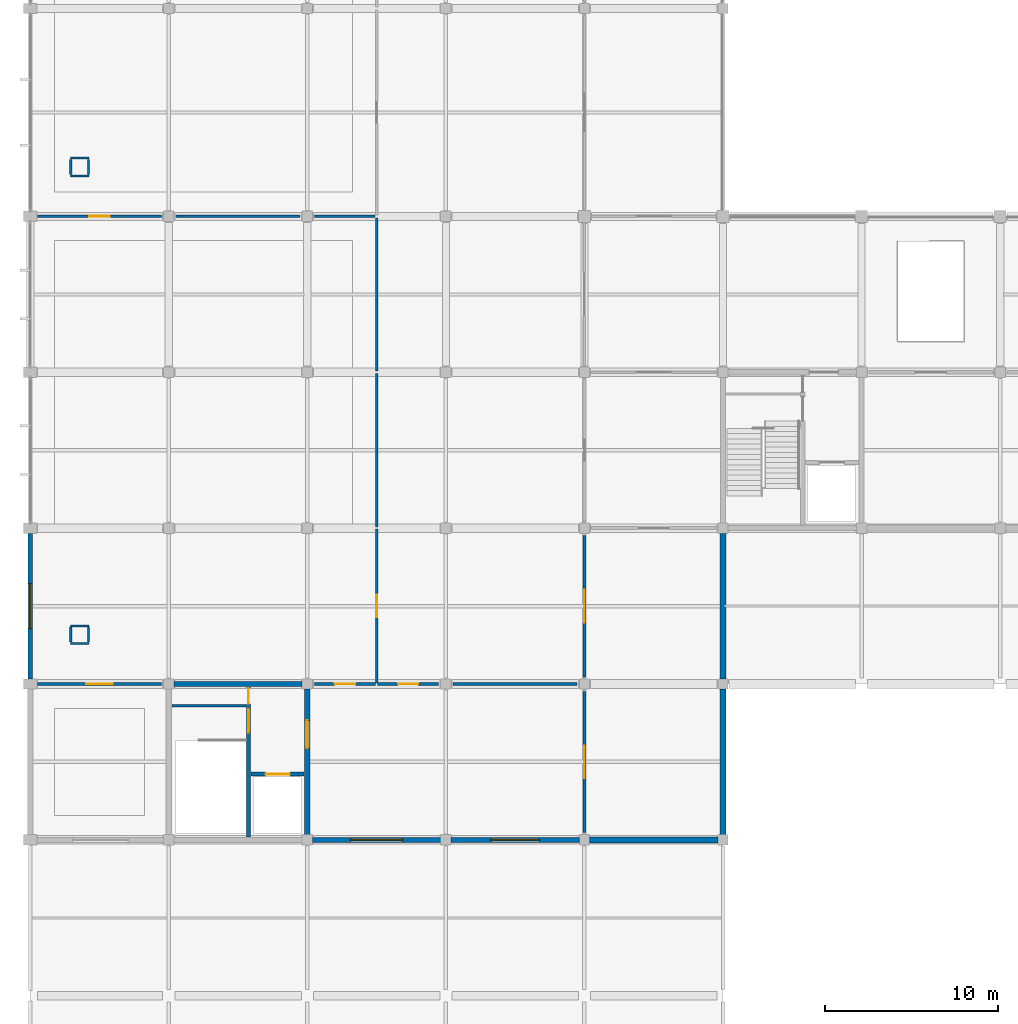
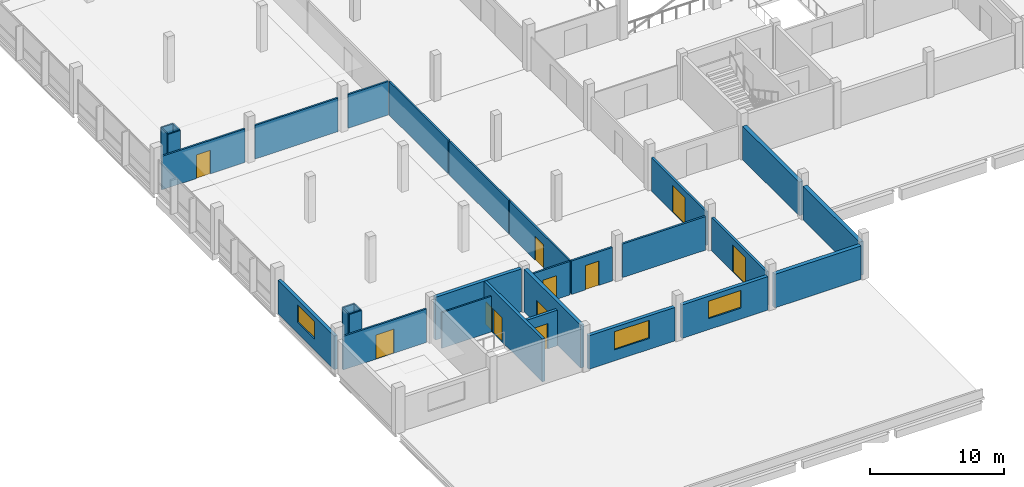
# One storey, part 40 of 57: 31 walls, 11 doors, 3 windows, 14 openings.
"""IFC4 building model written with IfcOpenShell, lengths in metres."""

from ifc_helpers import new_model, si_unit, direction, frame, frame_2d, origin, place, context, subcontext, project, spatial, rectangle, extrude, material, layer, layer_set, type_object, element, fill, save


model = new_model("IFC4")

# Units and contexts
model_context = context("Model", 3, precision=1e-05, world=origin(), true_north=direction((0.0, 1.0)))
body_context = subcontext(model_context, "Body", "Model", "MODEL_VIEW")
ifc_project = project(units=[si_unit("LENGTHUNIT", "METRE"), si_unit("AREAUNIT", "SQUARE_METRE"), si_unit("VOLUMEUNIT", "CUBIC_METRE"), si_unit("PLANEANGLEUNIT", "RADIAN"), si_unit("MASSUNIT", "GRAM", prefix="KILO"), si_unit("THERMODYNAMICTEMPERATUREUNIT", "KELVIN"), si_unit("POWERUNIT", "WATT")], contexts=[model_context])

# Site, building, storey
site_placement = place(None, origin())
site = spatial("IfcSite", under=ifc_project, at=site_placement, CompositionType="ELEMENT")
building_placement = place(site_placement, origin())
building = spatial("IfcBuilding", under=site, at=building_placement, Name="Kronsvod Quay Wholesale Market", CompositionType="ELEMENT")
storey_placement = place(building_placement, frame((0.0, 0.0, 4.800048828125)))
storey = spatial("IfcBuildingStorey", under=building, at=storey_placement, Name="L01", CompositionType="ELEMENT", Elevation=4.800048828125)

# Wall
ifc_material_1 = material(Name="Concrete C35/45", Category="concrete")
ifc_layer_1 = layer(ifc_material_1, 0.300048828125)
ifc_layer_set_1 = layer_set([ifc_layer_1], Name="Concrete C35/45")
wall_type_1 = type_object("IfcWallType", Name="Wall_CoreShear300", PredefinedType="SHEAR", material=ifc_layer_set_1)
wall_1_placement = place(storey_placement, frame((8.294921875, 27.0, 0.0), z_axis=(0.0, 0.0, 1.0), x_axis=(1.0, 0.0, 0.0)))
element("IfcWall", 1, at=wall_1_placement, inside=storey, type_object=wall_type_1, Name="CW-C01-L01-N", PredefinedType="SHEAR", context=body_context, shape_type="SweptSolid", body=[
    extrude(rectangle(XDim=7.41015625, YDim=0.300048828125, at=frame_2d((3.705078125, 0.0))), origin(), (0.0, 0.0, 1.0), 3.89501953125),
])

# Wall, opening, door
wall_2_placement = place(storey_placement, frame((16.0, 18.294921875, 0.0), z_axis=(0.0, 0.0, 1.0), x_axis=(0.0, 1.0, 0.0)))
wall_2 = element("IfcWall", 2, at=wall_2_placement, inside=storey, type_object=wall_type_1, Name="CW-C01-L01-E", PredefinedType="SHEAR", context=body_context, shape_type="SweptSolid", body=[
    extrude(rectangle(XDim=8.41015625, YDim=0.300048828125, at=frame_2d((4.205078125, 0.0))), origin(), (0.0, 0.0, 1.0), 3.89501953125),
])
opening_1_placement = place(wall_2_placement, frame((5.0, 0.0, 0.0)))
opening_1 = element("IfcOpeningElement", 3, at=opening_1_placement, cuts=wall_2, Name="Opening D-0007", PredefinedType="OPENING", context=body_context, shape_type="SweptSolid", body=[
    extrude(rectangle(XDim=1.60009765625, YDim=2.199951171875, at=frame_2d((0.800048828125, 1.10009765625))), frame((0.0, 0.16015625, 0.0), z_axis=(0.0, -1.0, 0.0), x_axis=(1.0, 0.0, 0.0)), (0.0, 0.0, 1.0), 0.320068359375),
])
ifc_material_2 = material(Name="Painted galvanized fire steel", Category="steel")
door_type_1 = type_object("IfcDoorType", Name="Door_FireLobby160x220", OperationType="DOUBLE_DOOR_SINGLE_SWING", PredefinedType="DOOR", material=ifc_material_2)
door_1_placement = place(opening_1_placement, origin())
door_1 = element("IfcDoor", 4, at=door_1_placement, inside=storey, type_object=door_type_1, Name="Core Lobby Door D-0007", OperationType="DOUBLE_DOOR_SINGLE_SWING", OverallHeight=2.199951171875, OverallWidth=1.60009765625, PredefinedType="DOOR", context=body_context, shape_type="SweptSolid", body=[
    extrude(rectangle(XDim=1.60009765625, YDim=2.199951171875, at=frame_2d((0.800048828125, 1.10009765625))), frame((0.0, 0.02490234375, 0.0), z_axis=(0.0, -1.0, 0.0), x_axis=(1.0, 0.0, 0.0)), (0.0, 0.0, 1.0), 0.050048828125),
])
fill(opening_1, door_1)

# Walls
ifc_material_3 = material(Name="Precast concrete C40/50", Category="concrete")
ifc_layer_2 = layer(ifc_material_3, 0.340087890625)
ifc_layer_set_2 = layer_set([ifc_layer_2], Name="Precast concrete C40/50")
wall_type_2 = type_object("IfcWallType", Name="Wall_ExtColdSandwich340", PredefinedType="SOLIDWALL", material=ifc_layer_set_2)
wall_3_placement = place(storey_placement, frame((32.294921875, 18.0, 0.0), z_axis=(0.0, 0.0, 1.0), x_axis=(1.0, 0.0, 0.0)))
element("IfcWall", 5, at=wall_3_placement, inside=storey, type_object=wall_type_2, Name="EW-X-L01-0102", PredefinedType="SOLIDWALL", context=body_context, shape_type="SweptSolid", body=[
    extrude(rectangle(XDim=7.41015625, YDim=0.340087890625, at=frame_2d((3.705078125, 0.0))), origin(), (0.0, 0.0, 1.0), 3.050048828125),
])
for number, where, z_axis, x_axis, name in (
    (6, (40.0, 18.294921875, 0.0), (0.0, 0.0, 1.0), (0.0, 1.0, 0.0), "EW-Y-L01-0108"),
    (7, (40.0, 27.294921875, 0.0), (0.0, 0.0, 1.0), (0.0, 1.0, 0.0), "EW-Y-L01-0109"),
):
    element("IfcWall", number, at=place(storey_placement, frame(where, z_axis=z_axis, x_axis=x_axis)), inside=storey, type_object=wall_type_2, Name=name, PredefinedType="SOLIDWALL", context=body_context, shape_type="SweptSolid", body=[
        extrude(rectangle(XDim=8.41015625, YDim=0.340087890625, at=frame_2d((4.205078125, 0.0))), origin(), (0.0, 0.0, 1.0), 3.050048828125),
    ])

# Wall, opening, window
ifc_material_4 = material(Name="Precast concrete C40/50", Category="concrete")
ifc_layer_3 = layer(ifc_material_4, 0.280029296875)
ifc_layer_set_3 = layer_set([ifc_layer_3], Name="Precast concrete C40/50")
wall_type_3 = type_object("IfcWallType", Name="Wall_ExtPrecast280", PredefinedType="SOLIDWALL", material=ifc_layer_set_3)
wall_4_placement = place(storey_placement, frame((0.0, 35.705078125, 0.0), z_axis=(0.0, 0.0, 1.0), x_axis=(0.0, -1.0, 0.0)))
wall_4 = element("IfcWall", 8, at=wall_4_placement, inside=storey, type_object=wall_type_3, Name="EW-Y-L01-0106", PredefinedType="SOLIDWALL", context=body_context, shape_type="SweptSolid", body=[
    extrude(rectangle(XDim=8.41015625, YDim=0.280029296875, at=frame_2d((4.205078125, 0.0))), origin(), (0.0, 0.0, 1.0), 3.050048828125),
])
opening_2_placement = place(wall_4_placement, frame((2.905029296875, 0.0, 1.0)))
opening_2 = element("IfcOpeningElement", 9, at=opening_2_placement, cuts=wall_4, Name="Opening WIN-06", PredefinedType="OPENING", context=body_context, shape_type="SweptSolid", body=[
    extrude(rectangle(XDim=2.60009765625, YDim=1.60009765625, at=frame_2d((1.300048828125, 0.800048828125))), frame((0.0, 0.14990234375, 0.0), z_axis=(0.0, -1.0, 0.0), x_axis=(1.0, 0.0, 0.0)), (0.0, 0.0, 1.0), 0.300048828125),
])
ifc_material_5 = material(Name="Thermally broken aluminium and triple low-E glazing", Category="aluminium")
window_type_1 = type_object("IfcWindowType", Name="Win_W06", PartitioningType="DOUBLE_PANEL_VERTICAL", PredefinedType="WINDOW", material=ifc_material_5)
window_1_placement = place(opening_2_placement, origin())
window_1 = element("IfcWindow", 10, at=window_1_placement, inside=storey, type_object=window_type_1, Name="WIN-Y-L01-0006", OverallHeight=1.60009765625, OverallWidth=2.60009765625, PartitioningType="SINGLE_PANEL", PredefinedType="WINDOW", context=body_context, shape_type="SweptSolid", body=[
    extrude(rectangle(XDim=2.60009765625, YDim=1.60009765625, at=frame_2d((1.300048828125, 0.800048828125))), frame((0.0, 0.030029296875, 0.0), z_axis=(0.0, -1.0, 0.0), x_axis=(1.0, 0.0, 0.0)), (0.0, 0.0, 1.0), 0.06005859375),
])
fill(opening_2, window_1)

ifc_material_6 = material(Name="Precast concrete C40/50", Category="concrete")
ifc_layer_4 = layer(ifc_material_6, 0.300048828125)
ifc_layer_set_4 = layer_set([ifc_layer_4], Name="Precast concrete C40/50")
wall_type_4 = type_object("IfcWallType", Name="Wall_ExtPrecast300", PredefinedType="SOLIDWALL", material=ifc_layer_set_4)
wall_5_placement = place(storey_placement, frame((16.294921875, 18.0, 0.0), z_axis=(0.0, 0.0, 1.0), x_axis=(1.0, 0.0, 0.0)))
wall_5 = element("IfcWall", 11, at=wall_5_placement, inside=storey, type_object=wall_type_4, Name="EW-X-L01-0100", PredefinedType="SOLIDWALL", context=body_context, shape_type="SweptSolid", body=[
    extrude(rectangle(XDim=7.41015625, YDim=0.300048828125, at=frame_2d((3.705078125, 0.0))), origin(), (0.0, 0.0, 1.0), 3.050048828125),
])
opening_3_placement = place(wall_5_placement, frame((2.205078125, 0.0, 1.0)))
opening_3 = element("IfcOpeningElement", 12, at=opening_3_placement, cuts=wall_5, Name="Opening WIN-04", PredefinedType="OPENING", context=body_context, shape_type="SweptSolid", body=[
    extrude(rectangle(XDim=3.0, YDim=1.64990234375, at=frame_2d((1.5, 0.824951171875))), frame((0.0, 0.16015625, 0.0), z_axis=(0.0, -1.0, 0.0), x_axis=(1.0, 0.0, 0.0)), (0.0, 0.0, 1.0), 0.320068359375),
])
ifc_material_7 = material(Name="Thermally broken aluminium and triple low-E glazing", Category="aluminium")
window_type_2 = type_object("IfcWindowType", Name="Win_W04", PartitioningType="TRIPLE_PANEL_HORIZONTAL", PredefinedType="WINDOW", material=ifc_material_7)
window_2_placement = place(opening_3_placement, origin())
window_2 = element("IfcWindow", 13, at=window_2_placement, inside=storey, type_object=window_type_2, Name="WIN-L01-0004", OverallHeight=1.64990234375, OverallWidth=3.0, PartitioningType="SINGLE_PANEL", PredefinedType="WINDOW", context=body_context, shape_type="SweptSolid", body=[
    extrude(rectangle(XDim=3.0, YDim=1.64990234375, at=frame_2d((1.5, 0.824951171875))), frame((0.0, 0.030029296875, 0.0), z_axis=(0.0, -1.0, 0.0), x_axis=(1.0, 0.0, 0.0)), (0.0, 0.0, 1.0), 0.06005859375),
])
fill(opening_3, window_2)

wall_6_placement = place(storey_placement, frame((24.294921875, 18.0, 0.0), z_axis=(0.0, 0.0, 1.0), x_axis=(1.0, 0.0, 0.0)))
wall_6 = element("IfcWall", 14, at=wall_6_placement, inside=storey, type_object=wall_type_4, Name="EW-X-L01-0101", PredefinedType="SOLIDWALL", context=body_context, shape_type="SweptSolid", body=[
    extrude(rectangle(XDim=7.41015625, YDim=0.300048828125, at=frame_2d((3.705078125, 0.0))), origin(), (0.0, 0.0, 1.0), 3.050048828125),
])
opening_4_placement = place(wall_6_placement, frame((2.304931640625, 0.0, 1.0)))
opening_4 = element("IfcOpeningElement", 15, at=opening_4_placement, cuts=wall_6, Name="Opening WIN-05", PredefinedType="OPENING", context=body_context, shape_type="SweptSolid", body=[
    extrude(rectangle(XDim=2.800048828125, YDim=1.60009765625, at=frame_2d((1.39990234375, 0.800048828125))), frame((0.0, 0.16015625, 0.0), z_axis=(0.0, -1.0, 0.0), x_axis=(1.0, 0.0, 0.0)), (0.0, 0.0, 1.0), 0.320068359375),
])
ifc_material_8 = material(Name="Thermally broken aluminium and triple low-E glazing", Category="aluminium")
window_type_3 = type_object("IfcWindowType", Name="Win_W05", PartitioningType="DOUBLE_PANEL_VERTICAL", PredefinedType="WINDOW", material=ifc_material_8)
window_3_placement = place(opening_4_placement, origin())
window_3 = element("IfcWindow", 16, at=window_3_placement, inside=storey, type_object=window_type_3, Name="WIN-L01-0005", OverallHeight=1.60009765625, OverallWidth=2.800048828125, PartitioningType="SINGLE_PANEL", PredefinedType="WINDOW", context=body_context, shape_type="SweptSolid", body=[
    extrude(rectangle(XDim=2.800048828125, YDim=1.60009765625, at=frame_2d((1.39990234375, 0.800048828125))), frame((0.0, 0.030029296875, 0.0), z_axis=(0.0, -1.0, 0.0), x_axis=(1.0, 0.0, 0.0)), (0.0, 0.0, 1.0), 0.06005859375),
])
fill(opening_4, window_3)

# Wall, opening, door
ifc_material_9 = material(Name="Double-layer fire gypsum partition", Category="gypsum")
ifc_layer_5 = layer(ifc_material_9, 0.16796875)
ifc_layer_set_5 = layer_set([ifc_layer_5], Name="Double-layer fire gypsum partition")
wall_type_5 = type_object("IfcWallType", Name="Wall_PartCorridor168", PredefinedType="PARTITIONING", material=ifc_layer_set_5)
wall_7_placement = place(storey_placement, frame((20.06005859375, 27.0, 0.0), z_axis=(0.0, 0.0, 1.0), x_axis=(1.0, 0.0, 0.0)))
wall_7 = element("IfcWall", 17, at=wall_7_placement, inside=storey, type_object=wall_type_5, Name="PW-L01-0003", PredefinedType="PARTITIONING", context=body_context, shape_type="SweptSolid", body=[
    extrude(rectangle(XDim=3.52001953125, YDim=0.16796875, at=frame_2d((1.760009765625, 0.0))), origin(), (0.0, 0.0, 1.0), 3.050048828125),
])
opening_5_placement = place(wall_7_placement, frame((1.179931640625, 0.0, 0.0)))
opening_5 = element("IfcOpeningElement", 18, at=opening_5_placement, cuts=wall_7, Name="Opening D-0213", PredefinedType="OPENING", context=body_context, shape_type="SweptSolid", body=[
    extrude(rectangle(XDim=1.159912109375, YDim=2.2099609375, at=frame_2d((0.580078125, 1.10498046875))), frame((0.0, 0.093994140625, 0.0), z_axis=(0.0, -1.0, 0.0), x_axis=(1.0, 0.0, 0.0)), (0.0, 0.0, 1.0), 0.18798828125),
])
ifc_material_10 = material(Name="Solid-core timber office door", Category="wood")
door_type_2 = type_object("IfcDoorType", Name="Door_Office116x221", OperationType="NOTDEFINED", PredefinedType="DOOR", material=ifc_material_10)
door_2_placement = place(opening_5_placement, origin())
door_2 = element("IfcDoor", 19, at=door_2_placement, inside=storey, type_object=door_type_2, Name="Interior Door D-0213", OperationType="SINGLE_SWING_RIGHT", OverallHeight=2.2099609375, OverallWidth=1.159912109375, PredefinedType="DOOR", context=body_context, shape_type="SweptSolid", body=[
    extrude(rectangle(XDim=1.159912109375, YDim=2.2099609375, at=frame_2d((0.580078125, 1.10498046875))), frame((0.0, 0.02490234375, 0.0), z_axis=(0.0, -1.0, 0.0), x_axis=(1.0, 0.0, 0.0)), (0.0, 0.0, 1.0), 0.050048828125),
])
fill(opening_5, door_2)

# Wall
wall_8_placement = place(storey_placement, frame((24.419921875, 27.0, 0.0), z_axis=(0.0, 0.0, 1.0), x_axis=(1.0, 0.0, 0.0)))
element("IfcWall", 20, at=wall_8_placement, inside=storey, type_object=wall_type_5, Name="PW-L01-0004", PredefinedType="PARTITIONING", context=body_context, shape_type="SweptSolid", body=[
    extrude(rectangle(XDim=7.16015625, YDim=0.16796875, at=frame_2d((3.580078125, 0.0))), origin(), (0.0, 0.0, 1.0), 3.050048828125),
])

# Wall, opening, door
ifc_material_11 = material(Name="Hygienic washable laboratory partition")
ifc_layer_6 = layer(ifc_material_11, 0.14990234375)
ifc_layer_set_6 = layer_set([ifc_layer_6], Name="Hygienic washable laboratory partition")
wall_type_6 = type_object("IfcWallType", Name="Wall_PartLab150", PredefinedType="PARTITIONING", material=ifc_layer_set_6)
wall_9_placement = place(storey_placement, frame((0.419921875, 27.0, 0.0), z_axis=(0.0, 0.0, 1.0), x_axis=(1.0, 0.0, 0.0)))
wall_9 = element("IfcWall", 21, at=wall_9_placement, inside=storey, type_object=wall_type_6, Name="PW-L01-0001", PredefinedType="PARTITIONING", context=body_context, shape_type="SweptSolid", body=[
    extrude(rectangle(XDim=7.16015625, YDim=0.14990234375, at=frame_2d((3.580078125, 0.0))), origin(), (0.0, 0.0, 1.0), 3.050048828125),
])
opening_6_placement = place(wall_9_placement, frame((2.804931640625, 0.0, 0.0)))
opening_6 = element("IfcOpeningElement", 22, at=opening_6_placement, cuts=wall_9, Name="Opening D-0211", PredefinedType="OPENING", context=body_context, shape_type="SweptSolid", body=[
    extrude(rectangle(XDim=1.550048828125, YDim=2.199951171875, at=frame_2d((0.77490234375, 1.10009765625))), frame((0.0, 0.0849609375, 0.0), z_axis=(0.0, -1.0, 0.0), x_axis=(1.0, 0.0, 0.0)), (0.0, 0.0, 1.0), 0.169921875),
])
ifc_material_12 = material(Name="Hygienic phenolic laboratory door", Category="aluminium")
door_type_3 = type_object("IfcDoorType", Name="Door_LabDouble155x220", OperationType="DOUBLE_DOOR_SINGLE_SWING", PredefinedType="DOOR", material=ifc_material_12)
door_3_placement = place(opening_6_placement, origin())
door_3 = element("IfcDoor", 23, at=door_3_placement, inside=storey, type_object=door_type_3, Name="Interior Door D-0211", OperationType="DOUBLE_DOOR_SINGLE_SWING", OverallHeight=2.199951171875, OverallWidth=1.550048828125, PredefinedType="DOOR", context=body_context, shape_type="SweptSolid", body=[
    extrude(rectangle(XDim=1.550048828125, YDim=2.199951171875, at=frame_2d((0.77490234375, 1.10009765625))), frame((0.0, 0.02490234375, 0.0), z_axis=(0.0, -1.0, 0.0), x_axis=(1.0, 0.0, 0.0)), (0.0, 0.0, 1.0), 0.050048828125),
])
fill(opening_6, door_3)

wall_10_placement = place(storey_placement, frame((16.419921875, 27.0, 0.0), z_axis=(0.0, 0.0, 1.0), x_axis=(1.0, 0.0, 0.0)))
wall_10 = element("IfcWall", 24, at=wall_10_placement, inside=storey, type_object=wall_type_6, Name="PW-L01-0002", PredefinedType="PARTITIONING", context=body_context, shape_type="SweptSolid", body=[
    extrude(rectangle(XDim=3.52001953125, YDim=0.14990234375, at=frame_2d((1.760009765625, 0.0))), origin(), (0.0, 0.0, 1.0), 3.050048828125),
])
opening_7_placement = place(wall_10_placement, frame((1.159912109375, 0.0, 0.0)))
opening_7 = element("IfcOpeningElement", 25, at=opening_7_placement, cuts=wall_10, Name="Opening D-0212", PredefinedType="OPENING", context=body_context, shape_type="SweptSolid", body=[
    extrude(rectangle(XDim=1.199951171875, YDim=2.14990234375, at=frame_2d((0.60009765625, 1.074951171875))), frame((0.0, 0.0849609375, 0.0), z_axis=(0.0, -1.0, 0.0), x_axis=(1.0, 0.0, 0.0)), (0.0, 0.0, 1.0), 0.169921875),
])
ifc_material_13 = material(Name="Hygienic phenolic laboratory door", Category="aluminium")
door_type_4 = type_object("IfcDoorType", Name="Door_Lab120x215", OperationType="NOTDEFINED", PredefinedType="DOOR", material=ifc_material_13)
door_4_placement = place(opening_7_placement, origin())
door_4 = element("IfcDoor", 26, at=door_4_placement, inside=storey, type_object=door_type_4, Name="Interior Door D-0212", OperationType="SINGLE_SWING_LEFT", OverallHeight=2.14990234375, OverallWidth=1.199951171875, PredefinedType="DOOR", context=body_context, shape_type="SweptSolid", body=[
    extrude(rectangle(XDim=1.199951171875, YDim=2.14990234375, at=frame_2d((0.60009765625, 1.074951171875))), frame((0.0, 0.02490234375, 0.0), z_axis=(0.0, -1.0, 0.0), x_axis=(1.0, 0.0, 0.0)), (0.0, 0.0, 1.0), 0.050048828125),
])
fill(opening_7, door_4)

wall_11_placement = place(storey_placement, frame((0.419921875, 54.0, 0.0), z_axis=(0.0, 0.0, 1.0), x_axis=(1.0, 0.0, 0.0)))
wall_11 = element("IfcWall", 27, at=wall_11_placement, inside=storey, type_object=wall_type_6, Name="PW-L01-0006", PredefinedType="PARTITIONING", context=body_context, shape_type="SweptSolid", body=[
    extrude(rectangle(XDim=7.16015625, YDim=0.14990234375, at=frame_2d((3.580078125, 0.0))), origin(), (0.0, 0.0, 1.0), 3.050048828125),
])
opening_8_placement = place(wall_11_placement, frame((2.97998046875, 0.0, 0.0)))
opening_8 = element("IfcOpeningElement", 28, at=opening_8_placement, cuts=wall_11, Name="Opening D-0215", PredefinedType="OPENING", context=body_context, shape_type="SweptSolid", body=[
    extrude(rectangle(XDim=1.199951171875, YDim=2.14990234375, at=frame_2d((0.60009765625, 1.074951171875))), frame((0.0, 0.0849609375, 0.0), z_axis=(0.0, -1.0, 0.0), x_axis=(1.0, 0.0, 0.0)), (0.0, 0.0, 1.0), 0.169921875),
])
door_5_placement = place(opening_8_placement, origin())
door_5 = element("IfcDoor", 29, at=door_5_placement, inside=storey, type_object=door_type_4, Name="Interior Door D-0215", OperationType="SINGLE_SWING_LEFT", OverallHeight=2.14990234375, OverallWidth=1.199951171875, PredefinedType="DOOR", context=body_context, shape_type="SweptSolid", body=[
    extrude(rectangle(XDim=1.199951171875, YDim=2.14990234375, at=frame_2d((0.60009765625, 1.074951171875))), frame((0.0, 0.02490234375, 0.0), z_axis=(0.0, -1.0, 0.0), x_axis=(1.0, 0.0, 0.0)), (0.0, 0.0, 1.0), 0.050048828125),
])
fill(opening_8, door_5)

# Walls
wall_12_placement = place(storey_placement, frame((8.419921875, 54.0, 0.0), z_axis=(0.0, 0.0, 1.0), x_axis=(1.0, 0.0, 0.0)))
element("IfcWall", 30, at=wall_12_placement, inside=storey, type_object=wall_type_6, Name="PW-L01-0007", PredefinedType="PARTITIONING", context=body_context, shape_type="SweptSolid", body=[
    extrude(rectangle(XDim=7.16015625, YDim=0.14990234375, at=frame_2d((3.580078125, 0.0))), origin(), (0.0, 0.0, 1.0), 3.050048828125),
])
wall_13_placement = place(storey_placement, frame((16.419921875, 54.0, 0.0), z_axis=(0.0, 0.0, 1.0), x_axis=(1.0, 0.0, 0.0)))
element("IfcWall", 31, at=wall_13_placement, inside=storey, type_object=wall_type_6, Name="PW-L01-0008", PredefinedType="PARTITIONING", context=body_context, shape_type="SweptSolid", body=[
    extrude(rectangle(XDim=3.5, YDim=0.14990234375, at=frame_2d((1.75, 0.0))), origin(), (0.0, 0.0, 1.0), 3.050048828125),
])

# Wall, opening, door
wall_14_placement = place(storey_placement, frame((20.0, 27.06005859375, 0.0), z_axis=(0.0, 0.0, 1.0), x_axis=(0.0, 1.0, 0.0)))
wall_14 = element("IfcWall", 32, at=wall_14_placement, inside=storey, type_object=wall_type_6, Name="PW-L01-0009", PredefinedType="PARTITIONING", context=body_context, shape_type="SweptSolid", body=[
    extrude(rectangle(XDim=8.8798828125, YDim=0.14990234375, at=frame_2d((4.43994140625, 0.0))), origin(), (0.0, 0.0, 1.0), 3.050048828125),
])
opening_9_placement = place(wall_14_placement, frame((3.7900390625, 0.0, 0.0)))
opening_9 = element("IfcOpeningElement", 33, at=opening_9_placement, cuts=wall_14, Name="Opening D-0216", PredefinedType="OPENING", context=body_context, shape_type="SweptSolid", body=[
    extrude(rectangle(XDim=1.300048828125, YDim=2.14990234375, at=frame_2d((0.64990234375, 1.074951171875))), frame((0.0, 0.0849609375, 0.0), z_axis=(0.0, -1.0, 0.0), x_axis=(1.0, 0.0, 0.0)), (0.0, 0.0, 1.0), 0.169921875),
])
ifc_material_14 = material(Name="Hygienic phenolic laboratory door", Category="aluminium")
door_type_5 = type_object("IfcDoorType", Name="Door_Lab130x215", OperationType="NOTDEFINED", PredefinedType="DOOR", material=ifc_material_14)
door_6_placement = place(opening_9_placement, origin())
door_6 = element("IfcDoor", 34, at=door_6_placement, inside=storey, type_object=door_type_5, Name="Interior Door D-0216", OperationType="SINGLE_SWING_RIGHT", OverallHeight=2.14990234375, OverallWidth=1.300048828125, PredefinedType="DOOR", context=body_context, shape_type="SweptSolid", body=[
    extrude(rectangle(XDim=1.300048828125, YDim=2.14990234375, at=frame_2d((0.64990234375, 1.074951171875))), frame((0.0, 0.02490234375, 0.0), z_axis=(0.0, -1.0, 0.0), x_axis=(1.0, 0.0, 0.0)), (0.0, 0.0, 1.0), 0.050048828125),
])
fill(opening_9, door_6)

# Walls
wall_15_placement = place(storey_placement, frame((20.0, 36.06005859375, 0.0), z_axis=(0.0, 0.0, 1.0), x_axis=(0.0, 1.0, 0.0)))
element("IfcWall", 35, at=wall_15_placement, inside=storey, type_object=wall_type_6, Name="PW-L01-0010", PredefinedType="PARTITIONING", context=body_context, shape_type="SweptSolid", body=[
    extrude(rectangle(XDim=8.85986328125, YDim=0.14990234375, at=frame_2d((4.429931640625, 0.0))), origin(), (0.0, 0.0, 1.0), 3.050048828125),
])
wall_16_placement = place(storey_placement, frame((20.0, 45.080078125, 0.0), z_axis=(0.0, 0.0, 1.0), x_axis=(0.0, 1.0, 0.0)))
element("IfcWall", 36, at=wall_16_placement, inside=storey, type_object=wall_type_6, Name="PW-L01-0011", PredefinedType="PARTITIONING", context=body_context, shape_type="SweptSolid", body=[
    extrude(rectangle(XDim=8.83984375, YDim=0.14990234375, at=frame_2d((4.419921875, 0.0))), origin(), (0.0, 0.0, 1.0), 3.050048828125),
])
ifc_material_15 = material(Name="Fire-rated shaft riser block wall", Category="masonry")
ifc_layer_7 = layer(ifc_material_15, 0.1201171875)
ifc_layer_set_7 = layer_set([ifc_layer_7], Name="Fire-rated shaft riser block wall")
wall_type_7 = type_object("IfcWallType", Name="Wall_PartRiser120", PredefinedType="PARTITIONING", material=ifc_layer_set_7)
for number, where, z_axis, x_axis, name in (
    (37, (2.320068359375, 29.340087890625, 0.0), (0.0, 0.0, 1.0), (1.0, 0.0, 0.0), "RSRW-SLB-L01-056-S"),
    (38, (2.320068359375, 30.360107421875, 0.0), (0.0, 0.0, 1.0), (1.0, 0.0, 0.0), "RSRW-SLB-L01-056-N"),
):
    element("IfcWall", number, at=place(storey_placement, frame(where, z_axis=z_axis, x_axis=x_axis)), inside=storey, type_object=wall_type_7, Name=name, PredefinedType="PARTITIONING", context=body_context, shape_type="SweptSolid", body=[
        extrude(rectangle(XDim=1.059814453125, YDim=0.1201171875, at=frame_2d((0.52978515625, 0.0))), origin(), (0.0, 0.0, 1.0), 2.949951171875),
    ])
for number, where, z_axis, x_axis, name in (
    (39, (2.340087890625, 29.419921875, 0.0), (0.0, 0.0, 1.0), (0.0, 1.0, 0.0), "RSRW-SLB-L01-056-W"),
    (40, (3.360107421875, 29.419921875, 0.0), (0.0, 0.0, 1.0), (0.0, 1.0, 0.0), "RSRW-SLB-L01-056-E"),
):
    element("IfcWall", number, at=place(storey_placement, frame(where, z_axis=z_axis, x_axis=x_axis)), inside=storey, type_object=wall_type_7, Name=name, PredefinedType="PARTITIONING", context=body_context, shape_type="SweptSolid", body=[
        extrude(rectangle(XDim=0.860107421875, YDim=0.1201171875, at=frame_2d((0.43017578125, 0.0))), origin(), (0.0, 0.0, 1.0), 2.949951171875),
    ])
for number, where, z_axis, x_axis, name in (
    (41, (2.320068359375, 56.340087890625, 0.0), (0.0, 0.0, 1.0), (1.0, 0.0, 0.0), "RSRW-SLB-L01-060-S"),
    (42, (2.320068359375, 57.360107421875, 0.0), (0.0, 0.0, 1.0), (1.0, 0.0, 0.0), "RSRW-SLB-L01-060-N"),
):
    element("IfcWall", number, at=place(storey_placement, frame(where, z_axis=z_axis, x_axis=x_axis)), inside=storey, type_object=wall_type_7, Name=name, PredefinedType="PARTITIONING", context=body_context, shape_type="SweptSolid", body=[
        extrude(rectangle(XDim=1.059814453125, YDim=0.1201171875, at=frame_2d((0.52978515625, 0.0))), origin(), (0.0, 0.0, 1.0), 2.949951171875),
    ])
for number, where, z_axis, x_axis, name in (
    (43, (2.340087890625, 56.419921875, 0.0), (0.0, 0.0, 1.0), (0.0, 1.0, 0.0), "RSRW-SLB-L01-060-W"),
    (44, (3.360107421875, 56.419921875, 0.0), (0.0, 0.0, 1.0), (0.0, 1.0, 0.0), "RSRW-SLB-L01-060-E"),
):
    element("IfcWall", number, at=place(storey_placement, frame(where, z_axis=z_axis, x_axis=x_axis)), inside=storey, type_object=wall_type_7, Name=name, PredefinedType="PARTITIONING", context=body_context, shape_type="SweptSolid", body=[
        extrude(rectangle(XDim=0.860107421875, YDim=0.1201171875, at=frame_2d((0.43017578125, 0.0))), origin(), (0.0, 0.0, 1.0), 2.949951171875),
    ])
ifc_material_16 = material(Name="Fire-rated shaft riser block wall", Category="masonry")
ifc_layer_8 = layer(ifc_material_16, 0.1298828125)
ifc_layer_set_8 = layer_set([ifc_layer_8], Name="Fire-rated shaft riser block wall")
wall_type_8 = type_object("IfcWallType", Name="Wall_PartRiser130", PredefinedType="PARTITIONING", material=ifc_layer_set_8)
wall_17_placement = place(storey_placement, frame((8.179931640625, 25.75, 0.0), z_axis=(0.0, 0.0, 1.0), x_axis=(1.0, 0.0, 0.0)))
element("IfcWall", 45, at=wall_17_placement, inside=storey, type_object=wall_type_8, Name="CW-C01-L01-RSR", PredefinedType="PARTITIONING", context=body_context, shape_type="SweptSolid", body=[
    extrude(rectangle(XDim=4.280029296875, YDim=0.1298828125, at=frame_2d((2.14013671875, 0.0))), origin(), (0.0, 0.0, 1.0), 3.244873046875),
])

# Wall, opening, door
ifc_material_17 = material(Name="Gas-tight ethylene ripening panel")
ifc_layer_9 = layer(ifc_material_17, 0.18505859375)
ifc_layer_set_9 = layer_set([ifc_layer_9], Name="Gas-tight ethylene ripening panel")
wall_type_9 = type_object("IfcWallType", Name="Wall_RipeningGas185", PredefinedType="PARTITIONING", material=ifc_layer_set_9)
wall_18_placement = place(storey_placement, frame((32.0, 18.419921875, 0.0), z_axis=(0.0, 0.0, 1.0), x_axis=(0.0, 1.0, 0.0)))
wall_18 = element("IfcWall", 46, at=wall_18_placement, inside=storey, type_object=wall_type_9, Name="PW-L01-0005", PredefinedType="PARTITIONING", context=body_context, shape_type="SweptSolid", body=[
    extrude(rectangle(XDim=8.16015625, YDim=0.18505859375, at=frame_2d((4.080078125, 0.0))), origin(), (0.0, 0.0, 1.0), 3.050048828125),
])
opening_10_placement = place(wall_18_placement, frame((3.1298828125, 0.0, 0.0)))
opening_10 = element("IfcOpeningElement", 47, at=opening_10_placement, cuts=wall_18, Name="Opening D-0214", PredefinedType="OPENING", context=body_context, shape_type="SweptSolid", body=[
    extrude(rectangle(XDim=1.89990234375, YDim=2.449951171875, at=frame_2d((0.949951171875, 1.22509765625))), frame((0.0, 0.1025390625, 0.0), z_axis=(0.0, -1.0, 0.0), x_axis=(1.0, 0.0, 0.0)), (0.0, 0.0, 1.0), 0.205078125),
])
ifc_material_18 = material(Name="Gas-tight aluminium ripening door", Category="aluminium")
door_type_6 = type_object("IfcDoorType", Name="Door_Ripening190x245", OperationType="DOUBLE_DOOR_SINGLE_SWING", PredefinedType="DOOR", material=ifc_material_18)
door_7_placement = place(opening_10_placement, origin())
door_7 = element("IfcDoor", 48, at=door_7_placement, inside=storey, type_object=door_type_6, Name="Interior Door D-0214", OperationType="DOUBLE_DOOR_SINGLE_SWING", OverallHeight=2.449951171875, OverallWidth=1.89990234375, PredefinedType="DOOR", context=body_context, shape_type="SweptSolid", body=[
    extrude(rectangle(XDim=1.89990234375, YDim=2.449951171875, at=frame_2d((0.949951171875, 1.22509765625))), frame((0.0, 0.02490234375, 0.0), z_axis=(0.0, -1.0, 0.0), x_axis=(1.0, 0.0, 0.0)), (0.0, 0.0, 1.0), 0.050048828125),
])
fill(opening_10, door_7)

wall_19_placement = place(storey_placement, frame((32.0, 27.419921875, 0.0), z_axis=(0.0, 0.0, 1.0), x_axis=(0.0, 1.0, 0.0)))
wall_19 = element("IfcWall", 49, at=wall_19_placement, inside=storey, type_object=wall_type_9, Name="PW-L01-0024", PredefinedType="PARTITIONING", context=body_context, shape_type="SweptSolid", body=[
    extrude(rectangle(XDim=8.16015625, YDim=0.18505859375, at=frame_2d((4.080078125, 0.0))), origin(), (0.0, 0.0, 1.0), 3.050048828125),
])
opening_11_placement = place(wall_19_placement, frame((3.1298828125, 0.0, 0.0)))
opening_11 = element("IfcOpeningElement", 50, at=opening_11_placement, cuts=wall_19, Name="Opening D-0224", PredefinedType="OPENING", context=body_context, shape_type="SweptSolid", body=[
    extrude(rectangle(XDim=1.89990234375, YDim=2.449951171875, at=frame_2d((0.949951171875, 1.22509765625))), frame((0.0, 0.1025390625, 0.0), z_axis=(0.0, -1.0, 0.0), x_axis=(1.0, 0.0, 0.0)), (0.0, 0.0, 1.0), 0.205078125),
])
door_8_placement = place(opening_11_placement, origin())
door_8 = element("IfcDoor", 51, at=door_8_placement, inside=storey, type_object=door_type_6, Name="Interior Door D-0224", OperationType="DOUBLE_DOOR_SINGLE_SWING", OverallHeight=2.449951171875, OverallWidth=1.89990234375, PredefinedType="DOOR", context=body_context, shape_type="SweptSolid", body=[
    extrude(rectangle(XDim=1.89990234375, YDim=2.449951171875, at=frame_2d((0.949951171875, 1.22509765625))), frame((0.0, 0.02490234375, 0.0), z_axis=(0.0, -1.0, 0.0), x_axis=(1.0, 0.0, 0.0)), (0.0, 0.0, 1.0), 0.050048828125),
])
fill(opening_11, door_8)

# Wall, openings, doors
ifc_material_19 = material(Name="Concrete C35/45", Category="concrete")
ifc_layer_10 = layer(ifc_material_19, 0.239990234375)
ifc_layer_set_10 = layer_set([ifc_layer_10], Name="Concrete C35/45")
wall_type_10 = type_object("IfcWallType", Name="Wall_ShaftWall240", PredefinedType="SHEAR", material=ifc_layer_set_10)
wall_20_placement = place(storey_placement, frame((12.60009765625, 18.179931640625, 0.0), z_axis=(0.0, 0.0, 1.0), x_axis=(0.0, 1.0, 0.0)))
wall_20 = element("IfcWall", 52, at=wall_20_placement, inside=storey, type_object=wall_type_10, Name="CW-C01-L01-DIV", PredefinedType="SHEAR", context=body_context, shape_type="SweptSolid", body=[
    extrude(rectangle(XDim=8.64013671875, YDim=0.239990234375, at=frame_2d((4.320068359375, 0.0))), origin(), (0.0, 0.0, 1.0), 3.89501953125),
])
opening_12_placement = place(wall_20_placement, frame((6.02001953125, 0.0, 0.0)))
opening_12 = element("IfcOpeningElement", 53, at=opening_12_placement, cuts=wall_20, Name="Opening D-0005", PredefinedType="OPENING", context=body_context, shape_type="SweptSolid", body=[
    extrude(rectangle(XDim=1.35009765625, YDim=2.199951171875, at=frame_2d((0.675048828125, 1.10009765625))), frame((0.0, 0.1298828125, 0.0), z_axis=(0.0, -1.0, 0.0), x_axis=(1.0, 0.0, 0.0)), (0.0, 0.0, 1.0), 0.260009765625),
])
opening_13_placement = place(wall_20_placement, frame((7.679931640625, 0.0, 0.0)))
opening_13 = element("IfcOpeningElement", 54, at=opening_13_placement, cuts=wall_20, Name="Opening D-0006", PredefinedType="OPENING", context=body_context, shape_type="SweptSolid", body=[
    extrude(rectangle(XDim=0.89990234375, YDim=2.050048828125, at=frame_2d((0.449951171875, 1.02490234375))), frame((0.0, 0.1298828125, 0.0), z_axis=(0.0, -1.0, 0.0), x_axis=(1.0, 0.0, 0.0)), (0.0, 0.0, 1.0), 0.260009765625),
])
ifc_material_20 = material(Name="Painted galvanized fire steel", Category="steel")
door_type_7 = type_object("IfcDoorType", Name="Door_FireStair135x220", OperationType="NOTDEFINED", PredefinedType="DOOR", material=ifc_material_20)
door_9_placement = place(opening_12_placement, origin())
door_9 = element("IfcDoor", 55, at=door_9_placement, inside=storey, type_object=door_type_7, Name="Stair Fire Door D-0005", OperationType="SINGLE_SWING_LEFT", OverallHeight=2.199951171875, OverallWidth=1.35009765625, PredefinedType="DOOR", context=body_context, shape_type="SweptSolid", body=[
    extrude(rectangle(XDim=1.35009765625, YDim=2.199951171875, at=frame_2d((0.675048828125, 1.10009765625))), frame((0.0, 0.02490234375, 0.0), z_axis=(0.0, -1.0, 0.0), x_axis=(1.0, 0.0, 0.0)), (0.0, 0.0, 1.0), 0.050048828125),
])
fill(opening_12, door_9)
ifc_material_21 = material(Name="Fire-rated steel riser access door", Category="steel")
door_type_8 = type_object("IfcDoorType", Name="Door_Riser90x205", OperationType="NOTDEFINED", PredefinedType="DOOR", material=ifc_material_21)
door_10_placement = place(opening_13_placement, origin())
door_10 = element("IfcDoor", 56, at=door_10_placement, inside=storey, type_object=door_type_8, Name="Service Riser Door D-0006", OperationType="SINGLE_SWING_RIGHT", OverallHeight=2.050048828125, OverallWidth=0.89990234375, PredefinedType="DOOR", context=body_context, shape_type="SweptSolid", body=[
    extrude(rectangle(XDim=0.89990234375, YDim=2.050048828125, at=frame_2d((0.449951171875, 1.02490234375))), frame((0.0, 0.02490234375, 0.0), z_axis=(0.0, -1.0, 0.0), x_axis=(1.0, 0.0, 0.0)), (0.0, 0.0, 1.0), 0.050048828125),
])
fill(opening_13, door_10)

# Wall, opening, door
wall_21_placement = place(storey_placement, frame((12.75, 21.800048828125, 0.0), z_axis=(0.0, 0.0, 1.0), x_axis=(1.0, 0.0, 0.0)))
wall_21 = element("IfcWall", 57, at=wall_21_placement, inside=storey, type_object=wall_type_10, Name="CW-C01-L01-LSH", PredefinedType="SHEAR", context=body_context, shape_type="SweptSolid", body=[
    extrude(rectangle(XDim=3.070068359375, YDim=0.239990234375, at=frame_2d((1.53515625, 0.0))), origin(), (0.0, 0.0, 1.0), 3.244873046875),
])
opening_14_placement = place(wall_21_placement, frame((0.8349609375, 0.0, 0.0)))
opening_14 = element("IfcOpeningElement", 58, at=opening_14_placement, cuts=wall_21, Name="Opening D-0008", PredefinedType="OPENING", context=body_context, shape_type="SweptSolid", body=[
    extrude(rectangle(XDim=1.39990234375, YDim=2.300048828125, at=frame_2d((0.699951171875, 1.14990234375))), frame((0.0, 0.1298828125, 0.0), z_axis=(0.0, -1.0, 0.0), x_axis=(1.0, 0.0, 0.0)), (0.0, 0.0, 1.0), 0.260009765625),
])
ifc_material_22 = material(Name="Brushed stainless steel", Category="steel")
door_type_9 = type_object("IfcDoorType", Name="Door_LiftLandingGoods", OperationType="SLIDING_TO_LEFT", PredefinedType="DOOR", material=ifc_material_22)
door_11_placement = place(opening_14_placement, origin())
door_11 = element("IfcDoor", 59, at=door_11_placement, inside=storey, type_object=door_type_9, Name="Lift Landing Door LFT-G01 L01", OperationType="SLIDING_TO_LEFT", OverallHeight=2.300048828125, OverallWidth=1.39990234375, PredefinedType="DOOR", context=body_context, shape_type="SweptSolid", body=[
    extrude(rectangle(XDim=1.39990234375, YDim=2.300048828125, at=frame_2d((0.699951171875, 1.14990234375))), frame((0.0, 0.02490234375, 0.0), z_axis=(0.0, -1.0, 0.0), x_axis=(1.0, 0.0, 0.0)), (0.0, 0.0, 1.0), 0.050048828125),
])
fill(opening_14, door_11)

save(model, "model.ifc")
